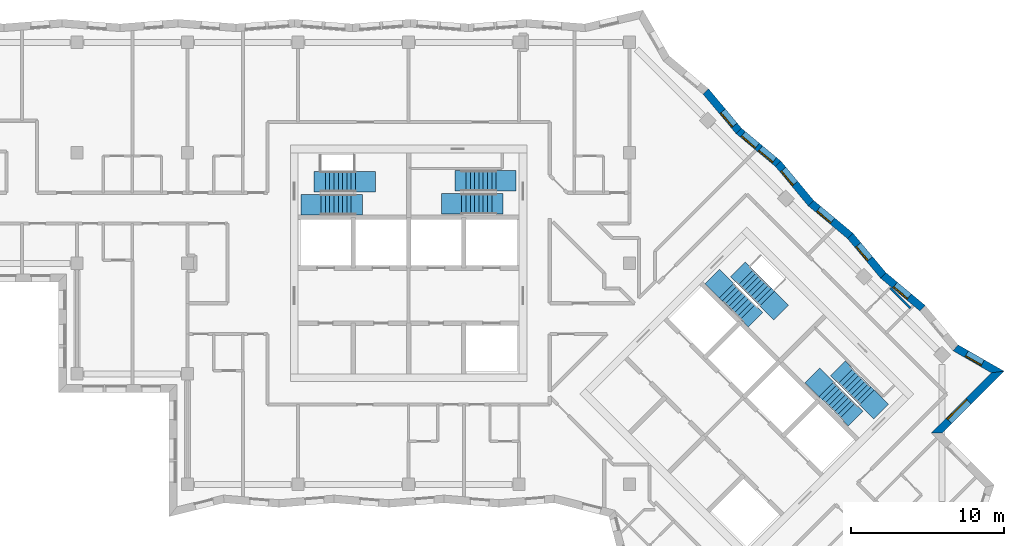
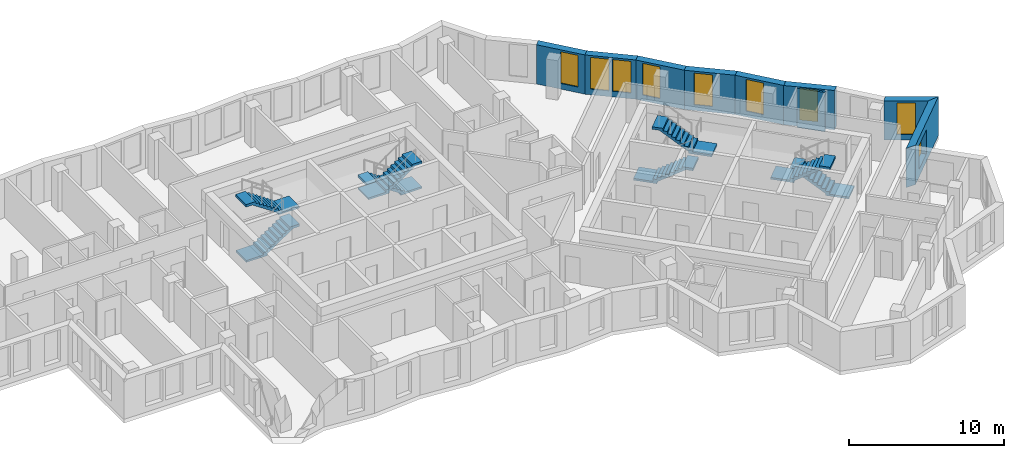
# One storey, part 9 of 11: 9 walls, 9 windows, 8 stair flights, 9 openings, 4 elements without a shape of their own.
"""IFC4 building model written with IfcOpenShell, lengths in metres."""

from ifc_helpers import new_model, si_unit, direction, frame, frame_2d, origin, place, context, subcontext, project, spatial, polyline, rectangle, outline, extrude, material, layer, layer_set, type_object, element, fill, aggregate, save


model = new_model("IFC4")

# Units and contexts
model_context = context("Model", 3, precision=1e-05, world=origin(), true_north=direction((0.0, 1.0)))
body_context = subcontext(model_context, "Body", "Model", "MODEL_VIEW")
ifc_project = project(units=[si_unit("LENGTHUNIT", "METRE"), si_unit("AREAUNIT", "SQUARE_METRE"), si_unit("VOLUMEUNIT", "CUBIC_METRE"), si_unit("PLANEANGLEUNIT", "RADIAN"), si_unit("MASSUNIT", "GRAM", prefix="KILO")], contexts=[model_context])

# Site, building, storey
site_placement = place(None, origin())
site = spatial("IfcSite", under=ifc_project, at=site_placement, CompositionType="ELEMENT")
building_placement = place(site_placement, origin())
building = spatial("IfcBuilding", under=site, at=building_placement, Name="Windrow Commons", CompositionType="ELEMENT")
storey_placement = place(building_placement, frame((0.0, 0.0, 189.6)))
storey = spatial("IfcBuildingStorey", under=building, at=storey_placement, Name="L51", CompositionType="ELEMENT", Elevation=189.6)

# Wall, opening, window
ifc_material_1 = material(Name="Brick masonry, red clay brick", Category="masonry")
ifc_layer_1 = layer(ifc_material_1, 0.5)
ifc_layer_set_1 = layer_set([ifc_layer_1], Name="Brick facade wall 500")
wall_type_1 = type_object("IfcWallType", Name="Brick facade wall 500", PredefinedType="SOLIDWALL", material=ifc_layer_set_1)
wall_1_placement = place(storey_placement, frame((99.2111, 46.5442, 0.0), z_axis=(0.0, 0.0, 1.0), x_axis=(0.7071156725, 0.7070978897, 0.0)))
wall_1 = element("IfcWall", 1, at=wall_1_placement, inside=storey, type_object=wall_type_1, Name="Brick facade wall L51 6", PredefinedType="SOLIDWALL", context=body_context, shape_type="SweptSolid", body=[
    extrude(outline(polyline([(0.25, -0.25), (5.95, -0.25), (5.2967, 0.25), (-0.25, 0.25), (0.25, -0.25)])), origin(), (0.0, 0.0, 1.0), 3.1),
])
opening_1_placement = place(wall_1_placement, frame((1.125, 0.0, 0.6)))
opening_1 = element("IfcOpeningElement", 2, at=opening_1_placement, cuts=wall_1, Name="Opening W1L", PredefinedType="OPENING", context=body_context, shape_type="SweptSolid", body=[
    extrude(rectangle(XDim=1.8, YDim=1.9, at=frame_2d((0.9, 0.95))), frame((0.0, 0.26, 0.0), z_axis=(0.0, -1.0, 0.0), x_axis=(1.0, 0.0, 0.0)), (0.0, 0.0, 1.0), 0.52),
])
ifc_material_2 = material(Name="Clear float glass in anodised aluminium frame", Category="aluminium")
window_type_1 = type_object("IfcWindowType", Name="Window W1L bedroom 1800x1900", PartitioningType="SINGLE_PANEL", PredefinedType="WINDOW", material=ifc_material_2)
window_1_placement = place(opening_1_placement, origin())
window_1 = element("IfcWindow", 3, at=window_1_placement, inside=storey, type_object=window_type_1, Name="Window L51 6.1", OverallHeight=1.9, OverallWidth=1.8, PartitioningType="SINGLE_PANEL", PredefinedType="WINDOW", context=body_context, shape_type="SweptSolid", body=[
    extrude(rectangle(XDim=1.8, YDim=1.9, at=frame_2d((0.9, 0.95))), frame((0.0, 0.18, 0.0), z_axis=(0.0, -1.0, 0.0), x_axis=(1.0, 0.0, 0.0)), (0.0, 0.0, 1.0), 0.06),
])
fill(opening_1, window_1)

wall_2_placement = place(storey_placement, frame((103.1875, 50.5205, 0.0), z_axis=(0.0, 0.0, 1.0), x_axis=(-0.8672184807, 0.4979278127, 0.0)))
wall_2 = element("IfcWall", 4, at=wall_2_placement, inside=storey, type_object=wall_type_1, Name="Brick facade wall L51 7", PredefinedType="SOLIDWALL", context=body_context, shape_type="SweptSolid", body=[
    extrude(outline(polyline([(-0.3266, -0.25), (3.1199, -0.25), (3.2094, 0.25), (0.3266, 0.25), (-0.3266, -0.25)])), origin(), (0.0, 0.0, 1.0), 3.1),
])
opening_2_placement = place(wall_2_placement, frame((1.1456, 0.0, 0.45)))
opening_2 = element("IfcOpeningElement", 5, at=opening_2_placement, cuts=wall_2, Name="Opening W7E", PredefinedType="OPENING", context=body_context, shape_type="SweptSolid", body=[
    extrude(rectangle(XDim=1.2, YDim=2.5, at=frame_2d((0.6, 1.25))), frame((0.0, 0.26, 0.0), z_axis=(0.0, -1.0, 0.0), x_axis=(1.0, 0.0, 0.0)), (0.0, 0.0, 1.0), 0.52),
])
ifc_material_3 = material(Name="Clear float glass in anodised aluminium frame", Category="aluminium")
window_type_2 = type_object("IfcWindowType", Name="Window W7 notch 1200x2500", PartitioningType="SINGLE_PANEL", PredefinedType="WINDOW", material=ifc_material_3)
window_2_placement = place(opening_2_placement, origin())
window_2 = element("IfcWindow", 6, at=window_2_placement, inside=storey, type_object=window_type_2, Name="Window L51 7.1", OverallHeight=2.5, OverallWidth=1.2, PartitioningType="SINGLE_PANEL", PredefinedType="WINDOW", context=body_context, shape_type="SweptSolid", body=[
    extrude(rectangle(XDim=1.2, YDim=2.5, at=frame_2d((0.6, 1.25))), frame((0.0, 0.18, 0.0), z_axis=(0.0, -1.0, 0.0), x_axis=(1.0, 0.0, 0.0)), (0.0, 0.0, 1.0), 0.06),
])
fill(opening_2, window_2)

wall_3_placement = place(storey_placement, frame((98.2884, 54.678, 0.0), z_axis=(0.0, 0.0, 1.0), x_axis=(-0.7677573222, 0.6407407387, 0.0)))
wall_3 = element("IfcWall", 7, at=wall_3_placement, inside=storey, type_object=wall_type_1, Name="Brick facade wall L51 9", PredefinedType="SOLIDWALL", context=body_context, shape_type="SweptSolid", body=[
    extrude(outline(polyline([(-0.0225, -0.25), (3.3179, -0.25), (3.363, 0.25), (0.0225, 0.25), (-0.0225, -0.25)])), origin(), (0.0, 0.0, 1.0), 3.1),
])
opening_3_placement = place(wall_3_placement, frame((1.1444, 0.0, 0.45)))
opening_3 = element("IfcOpeningElement", 8, at=opening_3_placement, cuts=wall_3, Name="Opening W7E", PredefinedType="OPENING", context=body_context, shape_type="SweptSolid", body=[
    extrude(rectangle(XDim=1.2, YDim=2.5, at=frame_2d((0.6, 1.25))), frame((0.0, 0.26, 0.0), z_axis=(0.0, -1.0, 0.0), x_axis=(1.0, 0.0, 0.0)), (0.0, 0.0, 1.0), 0.52),
])
window_3_placement = place(opening_3_placement, origin())
window_3 = element("IfcWindow", 9, at=window_3_placement, inside=storey, type_object=window_type_2, Name="Window L51 9.1", OverallHeight=2.5, OverallWidth=1.2, PartitioningType="SINGLE_PANEL", PredefinedType="WINDOW", context=body_context, shape_type="SweptSolid", body=[
    extrude(rectangle(XDim=1.2, YDim=2.5, at=frame_2d((0.6, 1.25))), frame((0.0, 0.18, 0.0), z_axis=(0.0, -1.0, 0.0), x_axis=(1.0, 0.0, 0.0)), (0.0, 0.0, 1.0), 0.06),
])
fill(opening_3, window_3)

wall_4_placement = place(storey_placement, frame((95.7237, 56.8184, 0.0), z_axis=(0.0, 0.0, 1.0), x_axis=(-0.6407407387, 0.7677573222, 0.0)))
wall_4 = element("IfcWall", 10, at=wall_4_placement, inside=storey, type_object=wall_type_1, Name="Brick facade wall L51 10", PredefinedType="SOLIDWALL", context=body_context, shape_type="SweptSolid", body=[
    extrude(outline(polyline([(0.0225, -0.25), (3.363, -0.25), (3.3179, 0.25), (-0.0225, 0.25), (0.0225, -0.25)])), origin(), (0.0, 0.0, 1.0), 3.1),
])
opening_4_placement = place(wall_4_placement, frame((1.3702, 0.0, 0.45)))
opening_4 = element("IfcOpeningElement", 11, at=opening_4_placement, cuts=wall_4, Name="Opening W7E", PredefinedType="OPENING", context=body_context, shape_type="SweptSolid", body=[
    extrude(rectangle(XDim=1.2, YDim=2.5, at=frame_2d((0.6, 1.25))), frame((0.0, 0.26, 0.0), z_axis=(0.0, -1.0, 0.0), x_axis=(1.0, 0.0, 0.0)), (0.0, 0.0, 1.0), 0.52),
])
window_4_placement = place(opening_4_placement, origin())
window_4 = element("IfcWindow", 12, at=window_4_placement, inside=storey, type_object=window_type_2, Name="Window L51 10.1", OverallHeight=2.5, OverallWidth=1.2, PartitioningType="SINGLE_PANEL", PredefinedType="WINDOW", context=body_context, shape_type="SweptSolid", body=[
    extrude(rectangle(XDim=1.2, YDim=2.5, at=frame_2d((0.6, 1.25))), frame((0.0, 0.18, 0.0), z_axis=(0.0, -1.0, 0.0), x_axis=(1.0, 0.0, 0.0)), (0.0, 0.0, 1.0), 0.06),
])
fill(opening_4, window_4)

wall_5_placement = place(storey_placement, frame((93.5833, 59.3831, 0.0), z_axis=(0.0, 0.0, 1.0), x_axis=(-0.7677450318, 0.6407554652, 0.0)))
wall_5 = element("IfcWall", 13, at=wall_5_placement, inside=storey, type_object=wall_type_1, Name="Brick facade wall L51 11", PredefinedType="SOLIDWALL", context=body_context, shape_type="SweptSolid", body=[
    extrude(outline(polyline([(-0.0225, -0.25), (3.3179, -0.25), (3.363, 0.25), (0.0225, 0.25), (-0.0225, -0.25)])), origin(), (0.0, 0.0, 1.0), 3.1),
])
opening_5_placement = place(wall_5_placement, frame((1.5185, 0.0, 0.45)))
opening_5 = element("IfcOpeningElement", 14, at=opening_5_placement, cuts=wall_5, Name="Opening W7E", PredefinedType="OPENING", context=body_context, shape_type="SweptSolid", body=[
    extrude(rectangle(XDim=1.2, YDim=2.5, at=frame_2d((0.6, 1.25))), frame((0.0, 0.26, 0.0), z_axis=(0.0, -1.0, 0.0), x_axis=(1.0, 0.0, 0.0)), (0.0, 0.0, 1.0), 0.52),
])
window_5_placement = place(opening_5_placement, origin())
window_5 = element("IfcWindow", 15, at=window_5_placement, inside=storey, type_object=window_type_2, Name="Window L51 11.1", OverallHeight=2.5, OverallWidth=1.2, PartitioningType="SINGLE_PANEL", PredefinedType="WINDOW", context=body_context, shape_type="SweptSolid", body=[
    extrude(rectangle(XDim=1.2, YDim=2.5, at=frame_2d((0.6, 1.25))), frame((0.0, 0.18, 0.0), z_axis=(0.0, -1.0, 0.0), x_axis=(1.0, 0.0, 0.0)), (0.0, 0.0, 1.0), 0.06),
])
fill(opening_5, window_5)

wall_6_placement = place(storey_placement, frame((91.0187, 61.5235, 0.0), z_axis=(0.0, 0.0, 1.0), x_axis=(-0.6407554652, 0.7677450318, 0.0)))
wall_6 = element("IfcWall", 16, at=wall_6_placement, inside=storey, type_object=wall_type_1, Name="Brick facade wall L51 12", PredefinedType="SOLIDWALL", context=body_context, shape_type="SweptSolid", body=[
    extrude(outline(polyline([(0.0225, -0.25), (3.363, -0.25), (3.3179, 0.25), (-0.0225, 0.25), (0.0225, -0.25)])), origin(), (0.0, 0.0, 1.0), 3.1),
])
opening_6_placement = place(wall_6_placement, frame((1.6443, 0.0, 0.45)))
opening_6 = element("IfcOpeningElement", 17, at=opening_6_placement, cuts=wall_6, Name="Opening W7E", PredefinedType="OPENING", context=body_context, shape_type="SweptSolid", body=[
    extrude(rectangle(XDim=1.2, YDim=2.5, at=frame_2d((0.6, 1.25))), frame((0.0, 0.26, 0.0), z_axis=(0.0, -1.0, 0.0), x_axis=(1.0, 0.0, 0.0)), (0.0, 0.0, 1.0), 0.52),
])
window_6_placement = place(opening_6_placement, origin())
window_6 = element("IfcWindow", 18, at=window_6_placement, inside=storey, type_object=window_type_2, Name="Window L51 12.1", OverallHeight=2.5, OverallWidth=1.2, PartitioningType="SINGLE_PANEL", PredefinedType="WINDOW", context=body_context, shape_type="SweptSolid", body=[
    extrude(rectangle(XDim=1.2, YDim=2.5, at=frame_2d((0.6, 1.25))), frame((0.0, 0.18, 0.0), z_axis=(0.0, -1.0, 0.0), x_axis=(1.0, 0.0, 0.0)), (0.0, 0.0, 1.0), 0.06),
])
fill(opening_6, window_6)

# Wall, openings, windows
wall_7_placement = place(storey_placement, frame((88.8783, 64.0881, 0.0), z_axis=(0.0, 0.0, 1.0), x_axis=(-0.7677573222, 0.6407407387, 0.0)))
wall_7 = element("IfcWall", 19, at=wall_7_placement, inside=storey, type_object=wall_type_1, Name="Brick facade wall L51 13", PredefinedType="SOLIDWALL", context=body_context, shape_type="SweptSolid", body=[
    extrude(outline(polyline([(-0.0225, -0.25), (3.3179, -0.25), (3.363, 0.25), (0.0225, 0.25), (-0.0225, -0.25)])), origin(), (0.0, 0.0, 1.0), 3.1),
])
opening_7_placement = place(wall_7_placement, frame((0.3336, 0.0, 0.45)))
opening_7 = element("IfcOpeningElement", 20, at=opening_7_placement, cuts=wall_7, Name="Opening W7E", PredefinedType="OPENING", context=body_context, shape_type="SweptSolid", body=[
    extrude(rectangle(XDim=1.2, YDim=2.5, at=frame_2d((0.6, 1.25))), frame((0.0, 0.26, 0.0), z_axis=(0.0, -1.0, 0.0), x_axis=(1.0, 0.0, 0.0)), (0.0, 0.0, 1.0), 0.52),
])
opening_8_placement = place(wall_7_placement, frame((1.7926, 0.0, 0.45)))
opening_8 = element("IfcOpeningElement", 21, at=opening_8_placement, cuts=wall_7, Name="Opening W7E", PredefinedType="OPENING", context=body_context, shape_type="SweptSolid", body=[
    extrude(rectangle(XDim=1.2, YDim=2.5, at=frame_2d((0.6, 1.25))), frame((0.0, 0.26, 0.0), z_axis=(0.0, -1.0, 0.0), x_axis=(1.0, 0.0, 0.0)), (0.0, 0.0, 1.0), 0.52),
])
window_7_placement = place(opening_7_placement, origin())
window_7 = element("IfcWindow", 22, at=window_7_placement, inside=storey, type_object=window_type_2, Name="Window L51 13.1", OverallHeight=2.5, OverallWidth=1.2, PartitioningType="SINGLE_PANEL", PredefinedType="WINDOW", context=body_context, shape_type="SweptSolid", body=[
    extrude(rectangle(XDim=1.2, YDim=2.5, at=frame_2d((0.6, 1.25))), frame((0.0, 0.18, 0.0), z_axis=(0.0, -1.0, 0.0), x_axis=(1.0, 0.0, 0.0)), (0.0, 0.0, 1.0), 0.06),
])
fill(opening_7, window_7)
window_8_placement = place(opening_8_placement, origin())
window_8 = element("IfcWindow", 23, at=window_8_placement, inside=storey, type_object=window_type_2, Name="Window L51 13.2", OverallHeight=2.5, OverallWidth=1.2, PartitioningType="SINGLE_PANEL", PredefinedType="WINDOW", context=body_context, shape_type="SweptSolid", body=[
    extrude(rectangle(XDim=1.2, YDim=2.5, at=frame_2d((0.6, 1.25))), frame((0.0, 0.18, 0.0), z_axis=(0.0, -1.0, 0.0), x_axis=(1.0, 0.0, 0.0)), (0.0, 0.0, 1.0), 0.06),
])
fill(opening_8, window_8)

# Wall, opening, window
wall_8_placement = place(storey_placement, frame((86.3136, 66.2285, 0.0), z_axis=(0.0, 0.0, 1.0), x_axis=(-0.6407407387, 0.7677573222, 0.0)))
wall_8 = element("IfcWall", 24, at=wall_8_placement, inside=storey, type_object=wall_type_1, Name="Brick facade wall L51 14", PredefinedType="SOLIDWALL", context=body_context, shape_type="SweptSolid", body=[
    extrude(outline(polyline([(0.0225, -0.25), (3.363, -0.25), (3.3179, 0.25), (-0.0225, 0.25), (0.0225, -0.25)])), origin(), (0.0, 0.0, 1.0), 3.1),
])
opening_9_placement = place(wall_8_placement, frame((0.4594, 0.0, 0.45)))
opening_9 = element("IfcOpeningElement", 25, at=opening_9_placement, cuts=wall_8, Name="Opening W7E", PredefinedType="OPENING", context=body_context, shape_type="SweptSolid", body=[
    extrude(rectangle(XDim=1.2, YDim=2.5, at=frame_2d((0.6, 1.25))), frame((0.0, 0.26, 0.0), z_axis=(0.0, -1.0, 0.0), x_axis=(1.0, 0.0, 0.0)), (0.0, 0.0, 1.0), 0.52),
])
window_9_placement = place(opening_9_placement, origin())
window_9 = element("IfcWindow", 26, at=window_9_placement, inside=storey, type_object=window_type_2, Name="Window L51 14.1", OverallHeight=2.5, OverallWidth=1.2, PartitioningType="SINGLE_PANEL", PredefinedType="WINDOW", context=body_context, shape_type="SweptSolid", body=[
    extrude(rectangle(XDim=1.2, YDim=2.5, at=frame_2d((0.6, 1.25))), frame((0.0, 0.18, 0.0), z_axis=(0.0, -1.0, 0.0), x_axis=(1.0, 0.0, 0.0)), (0.0, 0.0, 1.0), 0.06),
])
fill(opening_9, window_9)

# Wall
ifc_material_4 = material(Name="Blockwork partition", Category="masonry")
ifc_layer_2 = layer(ifc_material_4, 0.15)
ifc_layer_set_2 = layer_set([ifc_layer_2], Name="IW-ENSUITE-150")
wall_type_2 = type_object("IfcWallType", Name="IW-ENSUITE-150", PredefinedType="PARTITIONING", material=ifc_layer_set_2)
wall_9_placement = place(storey_placement, frame((96.1908, 55.9928, 0.0), z_axis=(0.0, 0.0, 1.0), x_axis=(0.7071067812, -0.7071067812, 0.0)))
element("IfcWall", 27, at=wall_9_placement, inside=storey, type_object=wall_type_2, Name="W-L51-W111", PredefinedType="PARTITIONING", context=body_context, shape_type="SweptSolid", body=[
    extrude(rectangle(XDim=1.8668, YDim=0.15, at=frame_2d((0.9334, 0.0))), origin(), (0.0, 0.0, 1.0), 3.1),
])

# Stair, stair flights
ifc_material_5 = material(Name="Concrete C40/50", Category="concrete")
stair_type = type_object("IfcStairType", Name="Core stair", PredefinedType="HALF_TURN_STAIR", material=ifc_material_5)
placement = place(storey_placement, origin())
stair_1 = element("IfcStair", 28, at=placement, inside=storey, type_object=stair_type, Name="L51 Exit stair A1 core A", PredefinedType="HALF_TURN_STAIR")
ifc_material_6 = material(Name="Concrete C40/50", Category="concrete")
stair_flight_type = type_object("IfcStairFlightType", Name="Core stair flight", PredefinedType="STRAIGHT", material=ifc_material_6)
stair_flight_1_placement = place(storey_placement, frame((59.1, 61.425, 0.0), z_axis=(0.0, 0.0, 1.0), x_axis=(1.0, 0.0, 0.0)))
stair_flight_1 = element("IfcStairFlight", 29, at=stair_flight_1_placement, type_object=stair_flight_type, Name="ST-A1 flight 1", NumberOfRisers=9, NumberOfTreads=8, PredefinedType="STRAIGHT", RiserHeight=0.188888889, TreadLength=0.28, context=body_context, shape_type="SweptSolid", body=[
    extrude(outline(polyline([(-1.3, -0.15), (-1.3, 0.0), (0.0, 0.0), (0.0, 0.1889), (0.28, 0.1889), (0.28, 0.3778), (0.56, 0.3778), (0.56, 0.5667), (0.84, 0.5667), (0.84, 0.7556), (1.12, 0.7556), (1.12, 0.9444), (1.4, 0.9444), (1.4, 1.1333), (1.68, 1.1333), (1.68, 1.3222), (1.96, 1.3222), (1.96, 1.5111), (2.24, 1.5111), (2.69, 1.5111), (2.69, 1.3111), (2.24, 1.3111), (2.24, 1.3302), (0.2682, 0.0), (0.2682, -0.15), (-1.3, -0.15)])), frame((0.0, 0.675, 0.0), z_axis=(0.0, -1.0, 0.0), x_axis=(1.0, 0.0, 0.0)), (0.0, 0.0, 1.0), 1.35),
])
stair_flight_2_placement = place(storey_placement, frame((61.34, 62.925, 1.7), z_axis=(0.0, 0.0, 1.0), x_axis=(-1.0, 0.0, 0.0)))
stair_flight_2 = element("IfcStairFlight", 30, at=stair_flight_2_placement, type_object=stair_flight_type, Name="ST-A1 flight 2", NumberOfRisers=9, NumberOfTreads=8, PredefinedType="STRAIGHT", RiserHeight=0.188888889, TreadLength=0.28, context=body_context, shape_type="SweptSolid", body=[
    extrude(outline(polyline([(-1.3, -0.15), (-1.3, 0.0), (0.0, 0.0), (0.0, 0.1889), (0.28, 0.1889), (0.28, 0.3778), (0.56, 0.3778), (0.56, 0.5667), (0.84, 0.5667), (0.84, 0.7556), (1.12, 0.7556), (1.12, 0.9444), (1.4, 0.9444), (1.4, 1.1333), (1.68, 1.1333), (1.68, 1.3222), (1.96, 1.3222), (1.96, 1.5111), (2.24, 1.5111), (2.69, 1.5111), (2.69, 1.3111), (2.24, 1.3111), (2.24, 1.3302), (0.2682, 0.0), (0.2682, -0.15), (-1.3, -0.15)])), frame((0.0, 0.675, 0.0), z_axis=(0.0, -1.0, 0.0), x_axis=(1.0, 0.0, 0.0)), (0.0, 0.0, 1.0), 1.35),
])
aggregate(stair_1, [stair_flight_1, stair_flight_2])

stair_2 = element("IfcStair", 31, at=placement, inside=storey, type_object=stair_type, Name="L51 Exit stair A2 core A", PredefinedType="HALF_TURN_STAIR")
stair_flight_3_placement = place(storey_placement, frame((70.5, 62.98, 0.0), z_axis=(0.0, 0.0, 1.0), x_axis=(-1.0, 0.0, 0.0)))
stair_flight_3 = element("IfcStairFlight", 32, at=stair_flight_3_placement, type_object=stair_flight_type, Name="ST-A2 flight 1", NumberOfRisers=9, NumberOfTreads=8, PredefinedType="STRAIGHT", RiserHeight=0.188888889, TreadLength=0.28, context=body_context, shape_type="SweptSolid", body=[
    extrude(outline(polyline([(-1.3, -0.15), (-1.3, 0.0), (0.0, 0.0), (0.0, 0.1889), (0.28, 0.1889), (0.28, 0.3778), (0.56, 0.3778), (0.56, 0.5667), (0.84, 0.5667), (0.84, 0.7556), (1.12, 0.7556), (1.12, 0.9444), (1.4, 0.9444), (1.4, 1.1333), (1.68, 1.1333), (1.68, 1.3222), (1.96, 1.3222), (1.96, 1.5111), (2.24, 1.5111), (2.69, 1.5111), (2.69, 1.3111), (2.24, 1.3111), (2.24, 1.3302), (0.2682, 0.0), (0.2682, -0.15), (-1.3, -0.15)])), frame((0.0, 0.675, 0.0), z_axis=(0.0, -1.0, 0.0), x_axis=(1.0, 0.0, 0.0)), (0.0, 0.0, 1.0), 1.35),
])
stair_flight_4_placement = place(storey_placement, frame((68.26, 61.48, 1.7), z_axis=(0.0, 0.0, 1.0), x_axis=(1.0, 0.0, 0.0)))
stair_flight_4 = element("IfcStairFlight", 33, at=stair_flight_4_placement, type_object=stair_flight_type, Name="ST-A2 flight 2", NumberOfRisers=9, NumberOfTreads=8, PredefinedType="STRAIGHT", RiserHeight=0.188888889, TreadLength=0.28, context=body_context, shape_type="SweptSolid", body=[
    extrude(outline(polyline([(-1.3, -0.15), (-1.3, 0.0), (0.0, 0.0), (0.0, 0.1889), (0.28, 0.1889), (0.28, 0.3778), (0.56, 0.3778), (0.56, 0.5667), (0.84, 0.5667), (0.84, 0.7556), (1.12, 0.7556), (1.12, 0.9444), (1.4, 0.9444), (1.4, 1.1333), (1.68, 1.1333), (1.68, 1.3222), (1.96, 1.3222), (1.96, 1.5111), (2.24, 1.5111), (2.69, 1.5111), (2.69, 1.3111), (2.24, 1.3111), (2.24, 1.3302), (0.2682, 0.0), (0.2682, -0.15), (-1.3, -0.15)])), frame((0.0, 0.675, 0.0), z_axis=(0.0, -1.0, 0.0), x_axis=(1.0, 0.0, 0.0)), (0.0, 0.0, 1.0), 1.35),
])
aggregate(stair_2, [stair_flight_3, stair_flight_4])

stair_3 = element("IfcStair", 34, at=placement, inside=storey, type_object=stair_type, Name="L51 Exit stair B1 core B", PredefinedType="HALF_TURN_STAIR")
stair_flight_5_placement = place(storey_placement, frame((85.5109, 55.8249, 0.0), z_axis=(0.0, 0.0, 1.0), x_axis=(0.7071067812, -0.7071067812, 0.0)))
stair_flight_5 = element("IfcStairFlight", 35, at=stair_flight_5_placement, type_object=stair_flight_type, Name="ST-B1 flight 1", NumberOfRisers=9, NumberOfTreads=8, PredefinedType="STRAIGHT", RiserHeight=0.188888889, TreadLength=0.28, context=body_context, shape_type="SweptSolid", body=[
    extrude(outline(polyline([(-1.3, -0.15), (-1.3, 0.0), (0.0, 0.0), (0.0, 0.1889), (0.28, 0.1889), (0.28, 0.3778), (0.56, 0.3778), (0.56, 0.5667), (0.84, 0.5667), (0.84, 0.7556), (1.12, 0.7556), (1.12, 0.9444), (1.4, 0.9444), (1.4, 1.1333), (1.68, 1.1333), (1.68, 1.3222), (1.96, 1.3222), (1.96, 1.5111), (2.24, 1.5111), (2.69, 1.5111), (2.69, 1.3111), (2.24, 1.3111), (2.24, 1.3302), (0.2682, 0.0), (0.2682, -0.15), (-1.3, -0.15)])), frame((0.0, 0.675, 0.0), z_axis=(0.0, -1.0, 0.0), x_axis=(1.0, 0.0, 0.0)), (0.0, 0.0, 1.0), 1.35),
])
stair_flight_6_placement = place(storey_placement, frame((88.1555, 55.3017, 1.7), z_axis=(0.0, 0.0, 1.0), x_axis=(-0.7071067812, 0.7071067812, 0.0)))
stair_flight_6 = element("IfcStairFlight", 36, at=stair_flight_6_placement, type_object=stair_flight_type, Name="ST-B1 flight 2", NumberOfRisers=9, NumberOfTreads=8, PredefinedType="STRAIGHT", RiserHeight=0.188888889, TreadLength=0.28, context=body_context, shape_type="SweptSolid", body=[
    extrude(outline(polyline([(-1.3, -0.15), (-1.3, 0.0), (0.0, 0.0), (0.0, 0.1889), (0.28, 0.1889), (0.28, 0.3778), (0.56, 0.3778), (0.56, 0.5667), (0.84, 0.5667), (0.84, 0.7556), (1.12, 0.7556), (1.12, 0.9444), (1.4, 0.9444), (1.4, 1.1333), (1.68, 1.1333), (1.68, 1.3222), (1.96, 1.3222), (1.96, 1.5111), (2.24, 1.5111), (2.69, 1.5111), (2.69, 1.3111), (2.24, 1.3111), (2.24, 1.3302), (0.2682, 0.0), (0.2682, -0.15), (-1.3, -0.15)])), frame((0.0, 0.675, 0.0), z_axis=(0.0, -1.0, 0.0), x_axis=(1.0, 0.0, 0.0)), (0.0, 0.0, 1.0), 1.35),
])
aggregate(stair_3, [stair_flight_5, stair_flight_6])

stair_4 = element("IfcStair", 37, at=placement, inside=storey, type_object=stair_type, Name="L51 Exit stair B2 core B", PredefinedType="HALF_TURN_STAIR")
stair_flight_7_placement = place(storey_placement, frame((94.6715, 48.8635, 0.0), z_axis=(0.0, 0.0, 1.0), x_axis=(-0.7071067812, 0.7071067812, 0.0)))
stair_flight_7 = element("IfcStairFlight", 38, at=stair_flight_7_placement, type_object=stair_flight_type, Name="ST-B2 flight 1", NumberOfRisers=9, NumberOfTreads=8, PredefinedType="STRAIGHT", RiserHeight=0.188888889, TreadLength=0.28, context=body_context, shape_type="SweptSolid", body=[
    extrude(outline(polyline([(-1.3, -0.15), (-1.3, 0.0), (0.0, 0.0), (0.0, 0.1889), (0.28, 0.1889), (0.28, 0.3778), (0.56, 0.3778), (0.56, 0.5667), (0.84, 0.5667), (0.84, 0.7556), (1.12, 0.7556), (1.12, 0.9444), (1.4, 0.9444), (1.4, 1.1333), (1.68, 1.1333), (1.68, 1.3222), (1.96, 1.3222), (1.96, 1.5111), (2.24, 1.5111), (2.69, 1.5111), (2.69, 1.3111), (2.24, 1.3111), (2.24, 1.3302), (0.2682, 0.0), (0.2682, -0.15), (-1.3, -0.15)])), frame((0.0, 0.675, 0.0), z_axis=(0.0, -1.0, 0.0), x_axis=(1.0, 0.0, 0.0)), (0.0, 0.0, 1.0), 1.35),
])
stair_flight_8_placement = place(storey_placement, frame((92.0269, 49.3867, 1.7), z_axis=(0.0, 0.0, 1.0), x_axis=(0.7071067812, -0.7071067812, 0.0)))
stair_flight_8 = element("IfcStairFlight", 39, at=stair_flight_8_placement, type_object=stair_flight_type, Name="ST-B2 flight 2", NumberOfRisers=9, NumberOfTreads=8, PredefinedType="STRAIGHT", RiserHeight=0.188888889, TreadLength=0.28, context=body_context, shape_type="SweptSolid", body=[
    extrude(outline(polyline([(-1.3, -0.15), (-1.3, 0.0), (0.0, 0.0), (0.0, 0.1889), (0.28, 0.1889), (0.28, 0.3778), (0.56, 0.3778), (0.56, 0.5667), (0.84, 0.5667), (0.84, 0.7556), (1.12, 0.7556), (1.12, 0.9444), (1.4, 0.9444), (1.4, 1.1333), (1.68, 1.1333), (1.68, 1.3222), (1.96, 1.3222), (1.96, 1.5111), (2.24, 1.5111), (2.69, 1.5111), (2.69, 1.3111), (2.24, 1.3111), (2.24, 1.3302), (0.2682, 0.0), (0.2682, -0.15), (-1.3, -0.15)])), frame((0.0, 0.675, 0.0), z_axis=(0.0, -1.0, 0.0), x_axis=(1.0, 0.0, 0.0)), (0.0, 0.0, 1.0), 1.35),
])
aggregate(stair_4, [stair_flight_7, stair_flight_8])

save(model, "model.ifc")
